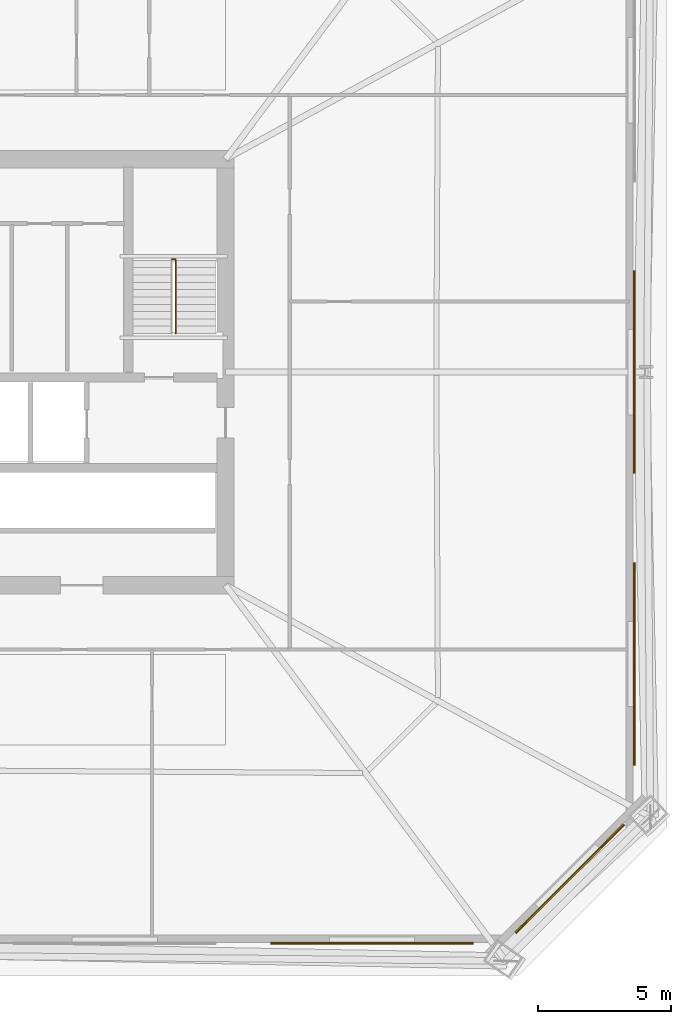
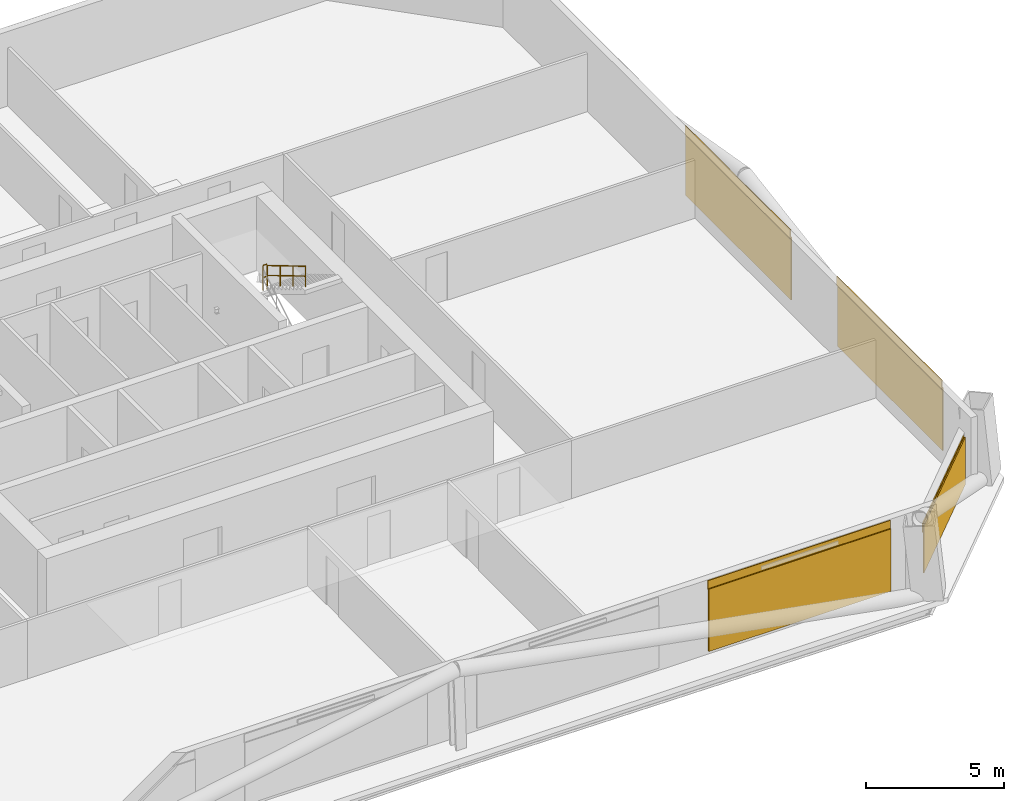
# One storey, part 8 of 9: 4 coverings, 4 shading devices, 2 railings.
"""IFC4 building model written with IfcOpenShell, lengths in metres."""

import ifcopenshell
import ifcopenshell.guid

model = None  # the IFC model being written
_history = None  # IfcOwnerHistory: only IFC2X3 demands one
_inside = {}  # id of a spatial element -> (the spatial element, [elements in it])
_under = {}  # id of a project, library or spatial element -> (it, [spatial elements below it])
_declared = {}  # id of a project -> (the project, [libraries it declares])
_typed = {}  # id of a type object -> (the type object, [elements of that type])
_made_of = {}  # id of a material, layer set ... -> (it, [elements and type objects made of it])


def new_model(schema):
    """Start an empty IFC model of exactly this schema.

    Asked for "IFC4X3", IfcOpenShell would pick the latest addendum, in which some entities
    have other attributes; the version numbers below select the first issue.
    IFC2X3 requires an IfcOwnerHistory on every rooted entity: one is made here for all.
    """
    global model, _history
    if schema == "IFC4X3":
        model = ifcopenshell.file(schema_version=(4, 3, 0, 0))
    else:
        model = ifcopenshell.file(schema=schema)
    _inside.clear()
    _under.clear()
    _declared.clear()
    _typed.clear()
    _made_of.clear()
    _history = None
    if model.schema == "IFC2X3":
        org = make("IfcOrganization", Name="unknown")
        user = make(
            "IfcPersonAndOrganization",
            ThePerson=make("IfcPerson", FamilyName="unknown"),
            TheOrganization=org,
        )
        app = make(
            "IfcApplication",
            ApplicationDeveloper=org,
            Version="unknown",
            ApplicationFullName="unknown",
            ApplicationIdentifier="unknown",
        )
        _history = make(
            "IfcOwnerHistory",
            OwningUser=user,
            OwningApplication=app,
            ChangeAction="ADDED",
            CreationDate=0,
        )
    return model


def make(cls, **values):
    """One entity of the class cls with the attributes given. An attribute that is None is left unset."""
    return model.create_entity(
        cls, **{name: value for name, value in values.items() if value is not None}
    )


def rooted(cls, **values):
    """An entity with a GlobalId (a new one), such as an element, a storey or a relation."""
    return make(cls, GlobalId=ifcopenshell.guid.new(), OwnerHistory=_history, **values)


def si_unit(unit_type, name, prefix=None):
    """IfcSIUnit, for example si_unit("LENGTHUNIT", "METRE", prefix="MILLI")."""
    return make("IfcSIUnit", UnitType=unit_type, Prefix=prefix, Name=name)


def assignment(units):
    """IfcUnitAssignment: the units of a project."""
    return None if units is None else make("IfcUnitAssignment", Units=units)


def point(xyz):
    """IfcCartesianPoint."""
    return None if xyz is None else make("IfcCartesianPoint", Coordinates=xyz)


def direction(xyz):
    """IfcDirection."""
    return None if xyz is None else make("IfcDirection", DirectionRatios=xyz)


def frame(location, z_axis=None, x_axis=None):
    """IfcAxis2Placement3D, a coordinate frame: its origin and axes. An axis left out is left unset."""
    return make(
        "IfcAxis2Placement3D",
        Location=point(location),
        Axis=direction(z_axis),
        RefDirection=direction(x_axis),
    )


def frame_2d(location, x_axis=None):
    """IfcAxis2Placement2D, a coordinate frame in the plane: its origin and x axis."""
    return make(
        "IfcAxis2Placement2D", Location=point(location), RefDirection=direction(x_axis)
    )


def origin():
    """The frame at (0, 0, 0) with its axes left unset."""
    return frame((0.0, 0.0, 0.0))


def origin_2d():
    """The frame at (0, 0) in the plane with its x axis left unset."""
    return frame_2d((0.0, 0.0))


def place(relative_to, where):
    """IfcLocalPlacement: puts the frame where relative to a parent placement (None: the world)."""
    return make(
        "IfcLocalPlacement", PlacementRelTo=relative_to, RelativePlacement=where
    )


def context(
    kind, dimensions, precision=None, world=None, true_north=None, identifier=None
):
    """IfcGeometricRepresentationContext, for example the 3D "Model" context."""
    return make(
        "IfcGeometricRepresentationContext",
        ContextIdentifier=identifier,
        ContextType=kind,
        CoordinateSpaceDimension=dimensions,
        Precision=precision,
        WorldCoordinateSystem=world,
        TrueNorth=true_north,
    )


def subcontext(parent, identifier, kind, view, scale=None):
    """IfcGeometricRepresentationSubContext, for example "Body" below "Model"."""
    return make(
        "IfcGeometricRepresentationSubContext",
        ContextIdentifier=identifier,
        ContextType=kind,
        ParentContext=parent,
        TargetScale=scale,
        TargetView=view,
    )


def project(units=None, contexts=None):
    """IfcProject with its units and contexts."""
    return rooted(
        "IfcProject",
        Name="project",
        RepresentationContexts=contexts,
        UnitsInContext=assignment(units),
    )


def spatial(cls, under=None, at=None, **own):
    """A site, building, storey or space (cls), placed at a placement, below another one or the project."""
    s = rooted(cls, ObjectPlacement=at, **own)
    if under is not None:
        _under.setdefault(under.id(), (under, []))[1].append(s)
    return s


def profile(cls, at=None, kind="AREA", **sizes):
    """A parametric profile (cls). Its sizes go by their IFC names, for example OverallWidth=200.0."""
    return make(cls, ProfileType=kind, Position=at, **sizes)


def rectangle(**sizes):
    """IfcRectangleProfileDef."""
    return profile("IfcRectangleProfileDef", **sizes)


def circle(**sizes):
    """IfcCircleProfileDef."""
    return profile("IfcCircleProfileDef", **sizes)


def extrude(swept, where, along, depth):
    """IfcExtrudedAreaSolid: the profile swept, set in the frame where, extruded along a direction by depth."""
    return make(
        "IfcExtrudedAreaSolid",
        SweptArea=swept,
        Position=where,
        ExtrudedDirection=direction(along),
        Depth=depth,
    )


def shape(context_of_items, identifier, shape_type, items):
    """IfcShapeRepresentation: the items that make up one representation, for example the "Body"."""
    return make(
        "IfcShapeRepresentation",
        ContextOfItems=context_of_items,
        RepresentationIdentifier=identifier,
        RepresentationType=shape_type,
        Items=items,
    )


def material(Name=None, Category=None):
    """IfcMaterial."""
    return make("IfcMaterial", Name=Name, Category=Category)


def layer(
    of_material, thickness, ventilated=None, Name=None, Category=None, Priority=None
):
    """IfcMaterialLayer: one layer of a wall or slab, of a material (None: an air gap)."""
    return make(
        "IfcMaterialLayer",
        Material=of_material,
        LayerThickness=thickness,
        IsVentilated=ventilated,
        Name=Name,
        Category=Category,
        Priority=Priority,
    )


def layer_set(layers, Name=None):
    """IfcMaterialLayerSet."""
    return make("IfcMaterialLayerSet", MaterialLayers=layers, LayerSetName=Name)


def made_of(thing, what):
    """Note that an element or type object is made of a material, layer set ...; save() writes the relation."""
    if what is not None:
        _made_of.setdefault(what.id(), (what, []))[1].append(thing)
    return thing


def type_object(cls, material=None, **own):
    """A type object (cls), such as IfcWallType, which elements share."""
    return made_of(rooted(cls, **own), material)


def element(
    cls,
    number,
    at=None,
    inside=None,
    cuts=None,
    type_object=None,
    material=None,
    context=None,
    identifier="Body",
    shape_type=None,
    held_by="IfcProductDefinitionShape",
    body=None,
    shapes=None,
    **own,
):
    """One element of the class cls, such as IfcWall. Its Tag is "e" and its number.

    at: its placement. inside: the storey or other place that contains it. cuts: it is an
    opening in that element (IfcRelVoidsElement). A single representation is given by context,
    identifier, shape_type and body (its items); several are given by shapes. held_by: the class
    of the entity that holds the representations. save() writes the other relations.
    """
    e = rooted(cls, Tag="e%d" % number, ObjectPlacement=at, **own)
    if body is not None:
        shapes = [shape(context, identifier, shape_type, body)]
    if shapes is not None:
        e.Representation = make(held_by, Representations=shapes)
    if inside is not None:
        _inside.setdefault(inside.id(), (inside, []))[1].append(e)
    if cuts is not None:
        rooted(
            "IfcRelVoidsElement", RelatingBuildingElement=cuts, RelatedOpeningElement=e
        )
    if type_object is not None:
        _typed.setdefault(type_object.id(), (type_object, []))[1].append(e)
    return made_of(e, material)


def aggregate(whole, parts):
    """IfcRelAggregates: a whole, such as a stair, and the parts it consists of."""
    return rooted("IfcRelAggregates", RelatingObject=whole, RelatedObjects=parts)


def save(model, path):
    """Write the relations noted so far, then the file.

    IfcRelAggregates (storeys below a building ...), IfcRelContainedInSpatialStructure (elements
    in a storey), IfcRelDefinesByType, IfcRelAssociatesMaterial and IfcRelDeclares: one each for
    every whole, place, type object, material and project.
    """
    for whole, parts in _under.values():
        aggregate(whole, parts)
    for where, things in _inside.values():
        rooted(
            "IfcRelContainedInSpatialStructure",
            RelatedElements=things,
            RelatingStructure=where,
        )
    for kind, things in _typed.values():
        rooted("IfcRelDefinesByType", RelatedObjects=things, RelatingType=kind)
    for what, things in _made_of.values():
        rooted("IfcRelAssociatesMaterial", RelatedObjects=things, RelatingMaterial=what)
    for by, libraries in _declared.values():
        rooted("IfcRelDeclares", RelatingContext=by, RelatedDefinitions=libraries)
    model.write(path)


model = new_model("IFC4")

# Units and contexts
model_context = context("Model", 3, precision=1e-05, world=origin(), true_north=direction((0.0, 1.0)))
body_context = subcontext(model_context, "Body", "Model", "MODEL_VIEW")
ifc_project = project(units=[si_unit("LENGTHUNIT", "METRE"), si_unit("AREAUNIT", "SQUARE_METRE"), si_unit("VOLUMEUNIT", "CUBIC_METRE"), si_unit("PLANEANGLEUNIT", "RADIAN"), si_unit("MASSUNIT", "GRAM", prefix="KILO")], contexts=[model_context])

# Site, building, storey
site_placement = place(None, origin())
site = spatial("IfcSite", under=ifc_project, at=site_placement, CompositionType="ELEMENT")
building_placement = place(site_placement, origin())
building = spatial("IfcBuilding", under=site, at=building_placement, Name="Caelvoria Tower", CompositionType="ELEMENT")
storey_placement = place(building_placement, frame((0.0, 0.0, 82.0)))
storey = spatial("IfcBuildingStorey", under=building, at=storey_placement, Name="L21", CompositionType="ELEMENT", Elevation=82.0)

# Coverings
ifc_material_1 = material(Name="Perforated Architectural Bronze Cladding Screen", Category="bronze")
ifc_layer_1 = layer(ifc_material_1, 0.0400390625, Name="Perforated Architectural Bronze Cladding Screen")
ifc_layer_set_1 = layer_set([ifc_layer_1], Name="Perforated Bronze Louvre Cladding Band 40 - Perforated Architectural Bronze Cladding Screen")
covering_type = type_object("IfcCoveringType", Name="Perforated Bronze Louvre Cladding Band 40", PredefinedType="CLADDING", material=ifc_layer_set_1)
covering_1_placement = place(storey_placement, frame((60.5048828125, 10.577880859375, 2.860107421875), z_axis=(0.0, 0.0, 1.0), x_axis=(1.0, 0.0, 0.0)))
element("IfcCovering", 1, at=covering_1_placement, inside=storey, type_object=covering_type, Name="Perforated Bronze Screen Band L21-E0-03", PredefinedType="CLADDING", context=body_context, shape_type="SweptSolid", body=[
    extrude(rectangle(XDim=7.60009765625, YDim=0.0400390625, at=origin_2d()), origin(), (0.0, 0.0, 1.0), 0.39990234375),
])
covering_2_placement = place(storey_placement, frame((67.90673828125, 12.993408203125, 1.923095703125), z_axis=(0.0, 0.0, 1.0), x_axis=(0.707106781187, 0.707106781187, 0.0)))
element("IfcCovering", 2, at=covering_2_placement, inside=storey, type_object=covering_type, Name="Perforated Bronze Screen Band L21-E1-00", PredefinedType="CLADDING", context=body_context, shape_type="SweptSolid", body=[
    extrude(rectangle(XDim=5.745361328125, YDim=0.0400390625, at=origin_2d()), origin(), (0.0, 0.0, 1.0), 0.39990234375),
])
for number, where, z_axis, x_axis, name in (
    (3, (70.322021484375, 21.0400390625, 2.860107421875), (0.0, 0.0, 1.0), (0.0, 1.0, 0.0), "Perforated Bronze Screen Band L21-E2-00"),
    (4, (70.322021484375, 32.0, 2.860107421875), (0.0, 0.0, 1.0), (0.0, 1.0, 0.0), "Perforated Bronze Screen Band L21-E2-01"),
):
    element("IfcCovering", number, at=place(storey_placement, frame(where, z_axis=z_axis, x_axis=x_axis)), inside=storey, type_object=covering_type, Name=name, PredefinedType="CLADDING", context=body_context, shape_type="SweptSolid", body=[
        extrude(rectangle(XDim=7.60009765625, YDim=0.0400390625, at=origin_2d()), origin(), (0.0, 0.0, 1.0), 0.39990234375),
    ])

# Shading devices
ifc_material_2 = material(Name="Perforated Architectural Bronze Alloy Panel", Category="bronze")
ifc_layer_2 = layer(ifc_material_2, 0.044921875, Name="Perforated Architectural Bronze Alloy Panel")
ifc_layer_set_2 = layer_set([ifc_layer_2], Name="Perforated Bronze Solar Screen Panel SCREEN - Perforated Architectural Bronze Alloy Panel")
shading_device_type = type_object("IfcShadingDeviceType", Name="Perforated Bronze Solar Screen Panel SCREEN", PredefinedType="USERDEFINED", material=ifc_layer_set_2)
shading_device_1_placement = place(storey_placement, frame((60.5048828125, 10.534912109375, 0.159912109375), z_axis=(0.0, 0.0, 1.0), x_axis=(1.0, 0.0, 0.0)))
element("IfcShadingDevice", 5, at=shading_device_1_placement, inside=storey, type_object=shading_device_type, Name="Perforated Bronze Solar Screen L21-E0-03", ObjectType="SCREEN", PredefinedType="USERDEFINED", context=body_context, shape_type="SweptSolid", body=[
    extrude(rectangle(XDim=7.60009765625, YDim=0.044921875, at=origin_2d()), origin(), (0.0, 0.0, 1.0), 2.75),
])
shading_device_2_placement = place(storey_placement, frame((67.93701171875, 12.962890625, 0.159912109375), z_axis=(0.0, 0.0, 1.0), x_axis=(0.707106781187, 0.707106781187, 0.0)))
element("IfcShadingDevice", 6, at=shading_device_2_placement, inside=storey, type_object=shading_device_type, Name="Perforated Bronze Solar Screen L21-E1-00", ObjectType="SCREEN", PredefinedType="USERDEFINED", context=body_context, shape_type="SweptSolid", body=[
    extrude(rectangle(XDim=5.745361328125, YDim=0.044921875, at=origin_2d()), origin(), (0.0, 0.0, 1.0), 2.10302734375),
])
for number, where, z_axis, x_axis, name in (
    (7, (70.364990234375, 21.0400390625, 0.159912109375), (0.0, 0.0, 1.0), (0.0, 1.0, 0.0), "Perforated Bronze Solar Screen L21-E2-00"),
    (8, (70.364990234375, 32.0, 0.159912109375), (0.0, 0.0, 1.0), (0.0, 1.0, 0.0), "Perforated Bronze Solar Screen L21-E2-01"),
):
    element("IfcShadingDevice", number, at=place(storey_placement, frame(where, z_axis=z_axis, x_axis=x_axis)), inside=storey, type_object=shading_device_type, Name=name, ObjectType="SCREEN", PredefinedType="USERDEFINED", context=body_context, shape_type="SweptSolid", body=[
        extrude(rectangle(XDim=7.60009765625, YDim=0.044921875, at=origin_2d()), origin(), (0.0, 0.0, 1.0), 2.75),
    ])

# Railings
ifc_material_3 = material(Name="Brushed Stainless Steel Tube", Category="steel")
railing_type_1 = type_object("IfcRailingType", Name="Stair Tubular Stainless Handrail 920", PredefinedType="HANDRAIL", material=ifc_material_3)
railing_1_placement = place(storey_placement, frame((53.1298828125, 36.199951171875, 1.963623046875)))
element("IfcRailing", 9, at=railing_1_placement, inside=storey, type_object=railing_type_1, Name="ST-02 Flight 2 Handrail L21", PredefinedType="HANDRAIL", context=body_context, shape_type="SweptSolid", body=[
    extrude(circle(Radius=0.02392578125, at=origin_2d()), frame((0.0, 0.0, 0.89599609375), z_axis=(0.0, -0.859351957796, 0.511384603436), x_axis=(1.0, 0.0, 0.0)), (0.0, 0.0, 1.0), 3.2001953125),
    extrude(circle(Radius=0.02392578125, at=origin_2d()), frame((0.0, 0.0, 0.4599609375), z_axis=(0.0, -0.859351957796, 0.511384603436), x_axis=(1.0, 0.0, 0.0)), (0.0, 0.0, 1.0), 3.2001953125),
    extrude(circle(Radius=0.02099609375, at=origin_2d()), origin(), (0.0, 0.0, 1.0), 0.871826171875),
    extrude(circle(Radius=0.02099609375, at=origin_2d()), frame((0.0, -0.916748046875, 0.54541015625)), (0.0, 0.0, 1.0), 0.871826171875),
    extrude(circle(Radius=0.02099609375, at=origin_2d()), frame((0.0, -1.833251953125, 1.091064453125)), (0.0, 0.0, 1.0), 0.871826171875),
    extrude(circle(Radius=0.02099609375, at=origin_2d()), frame((0.0, -2.75, 1.636474609375)), (0.0, 0.0, 1.0), 0.871826171875),
])
ifc_material_4 = material(Name="Brushed Stainless Steel Guardrail", Category="steel")
railing_type_2 = type_object("IfcRailingType", Name="Stair Well and Ramp Guardrail 1120", PredefinedType="GUARDRAIL", material=ifc_material_4)
railing_2_placement = place(storey_placement, frame((52.969970703125, 36.239990234375, 1.800048828125)))
element("IfcRailing", 10, at=railing_2_placement, inside=storey, type_object=railing_type_2, Name="ST-02 Half-Landing Well Guard L21", PredefinedType="GUARDRAIL", context=body_context, shape_type="SweptSolid", body=[
    extrude(circle(Radius=0.02392578125, at=origin_2d()), frame((0.0, 0.0, 1.09619140625), z_axis=(1.0, 0.0, 0.0), x_axis=(0.0, 1.0, 0.0)), (0.0, 0.0, 1.0), 0.159912109375),
    extrude(circle(Radius=0.02392578125, at=origin_2d()), frame((0.0, 0.0, 0.56005859375), z_axis=(1.0, 0.0, 0.0), x_axis=(0.0, 1.0, 0.0)), (0.0, 0.0, 1.0), 0.159912109375),
    extrude(circle(Radius=0.02099609375, at=origin_2d()), origin(), (0.0, 0.0, 1.0), 1.072021484375),
    extrude(circle(Radius=0.02099609375, at=origin_2d()), frame((0.159912109375, 0.0, 0.0)), (0.0, 0.0, 1.0), 1.072021484375),
])

save(model, "model.ifc")
